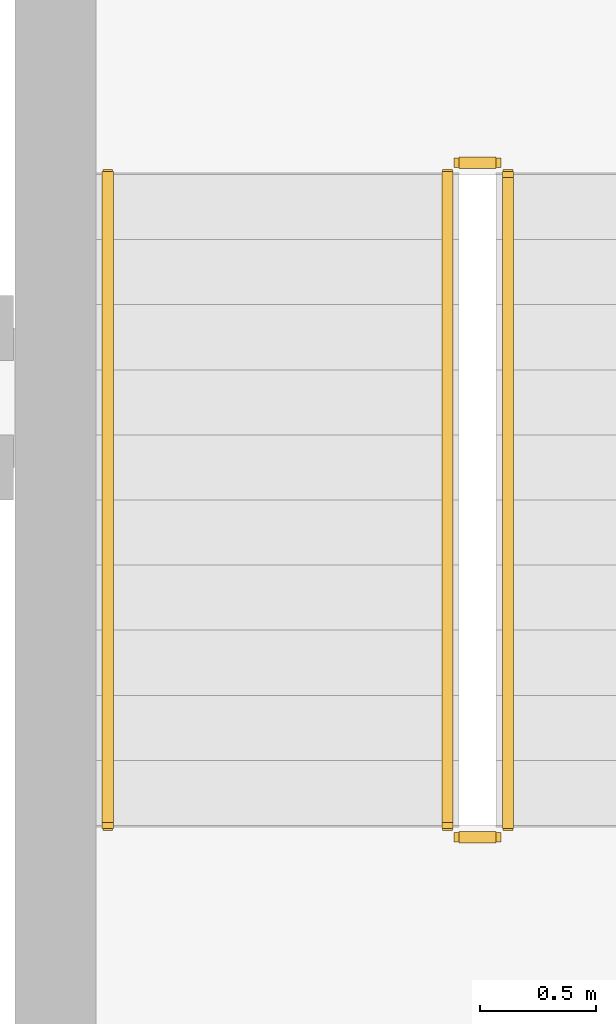
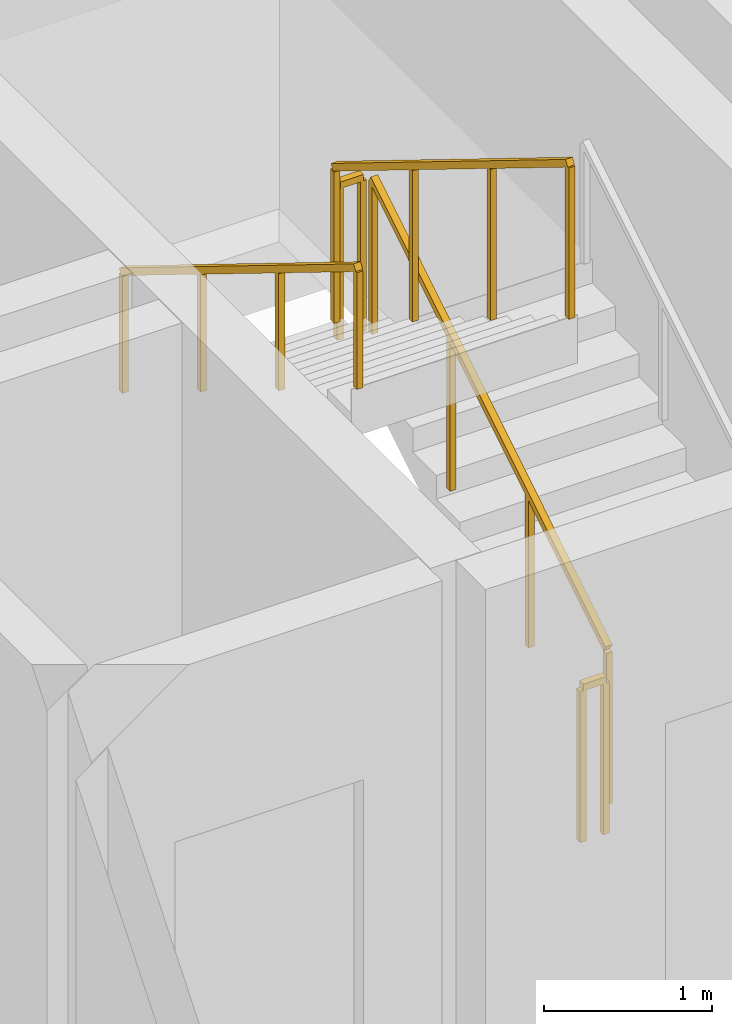
# One storey, part 14 of 15: 5 railings.
"""IFC4 building model written with IfcOpenShell, lengths in metres."""

from ifc_helpers import new_model, si_unit, direction, frame, origin, origin_2d, place, context, subcontext, project, spatial, rectangle, extrude, material, type_object, element, save


model = new_model("IFC4")

# Units and contexts
model_context = context("Model", 3, precision=1e-05, world=origin(), true_north=direction((0.0, 1.0)))
body_context = subcontext(model_context, "Body", "Model", "MODEL_VIEW")
ifc_project = project(units=[si_unit("LENGTHUNIT", "METRE"), si_unit("AREAUNIT", "SQUARE_METRE"), si_unit("VOLUMEUNIT", "CUBIC_METRE"), si_unit("PLANEANGLEUNIT", "RADIAN"), si_unit("MASSUNIT", "GRAM", prefix="KILO")], contexts=[model_context])

# Site, building, storey
site_placement = place(None, origin())
site = spatial("IfcSite", under=ifc_project, at=site_placement, CompositionType="ELEMENT")
building_placement = place(site_placement, origin())
building = spatial("IfcBuilding", under=site, at=building_placement, Name="Kaelvorn Grand Hotel", CompositionType="ELEMENT")
storey_placement = place(building_placement, frame((0.0, 0.0, 150.550048828125)))
storey = spatial("IfcBuildingStorey", under=building, at=storey_placement, Name="L36", CompositionType="ELEMENT", Elevation=150.550048828125)

# Railings
ifc_material = material(Name="Stainless Steel", Category="steel")
railing_type_1 = type_object("IfcRailingType", Name="RL-HANDRAIL-900", PredefinedType="HANDRAIL", material=ifc_material)
railing_1_placement = place(storey_placement, frame((63.3701171875, 44.56005859375, 2.07275390625)))
element("IfcRailing", 1, at=railing_1_placement, inside=storey, type_object=railing_type_1, Name="L36 ST3 stair handrail 2", PredefinedType="HANDRAIL", context=body_context, shape_type="SweptSolid", body=[
    extrude(rectangle(XDim=0.048095703125, YDim=0.048095703125, at=origin_2d()), frame((0.0, 0.0, 0.8759765625), z_axis=(0.0, -0.851089632645, 0.525020415988), x_axis=(1.0, 0.0, 0.0)), (0.0, 0.0, 1.0), 3.2900390625),
    extrude(rectangle(XDim=0.0419921875, YDim=0.0419921875, at=origin_2d()), origin(), (0.0, 0.0, 1.0), 0.851806640625),
    extrude(rectangle(XDim=0.0419921875, YDim=0.0419921875, at=origin_2d()), frame((0.0, -0.933349609375, 0.57568359375)), (0.0, 0.0, 1.0), 0.851806640625),
    extrude(rectangle(XDim=0.0419921875, YDim=0.0419921875, at=origin_2d()), frame((0.0, -1.86669921875, 1.151611328125)), (0.0, 0.0, 1.0), 0.851806640625),
    extrude(rectangle(XDim=0.0419921875, YDim=0.0419921875, at=origin_2d()), frame((0.0, -2.800048828125, 1.727294921875)), (0.0, 0.0, 1.0), 0.851806640625),
])
railing_type_2 = type_object("IfcRailingType", Name="RL-STAIR-GUARD-1150", PredefinedType="BALUSTRADE", material=ifc_material)
railing_2_placement = place(storey_placement, frame((65.090087890625, 41.760009765625, 0.172607421875)))
element("IfcRailing", 2, at=railing_2_placement, inside=storey, type_object=railing_type_2, Name="L36 ST3 stair guard 1", PredefinedType="BALUSTRADE", context=body_context, shape_type="SweptSolid", body=[
    extrude(rectangle(XDim=0.048095703125, YDim=0.048095703125, at=origin_2d()), frame((0.0, 0.0, 1.1259765625), z_axis=(0.0, 0.851089632645, 0.525020415988), x_axis=(-1.0, 0.0, 0.0)), (0.0, 0.0, 1.0), 3.2900390625),
    extrude(rectangle(XDim=0.0419921875, YDim=0.0419921875, at=origin_2d()), origin(), (0.0, 0.0, 1.0), 1.101806640625),
    extrude(rectangle(XDim=0.0419921875, YDim=0.0419921875, at=origin_2d()), frame((0.0, 0.933349609375, 0.57568359375)), (0.0, 0.0, 1.0), 1.101806640625),
    extrude(rectangle(XDim=0.0419921875, YDim=0.0419921875, at=origin_2d()), frame((0.0, 1.86669921875, 1.151611328125)), (0.0, 0.0, 1.0), 1.101806640625),
    extrude(rectangle(XDim=0.0419921875, YDim=0.0419921875, at=origin_2d()), frame((0.0, 2.800048828125, 1.727294921875)), (0.0, 0.0, 1.0), 1.101806640625),
])
railing_3_placement = place(storey_placement, frame((65.0400390625, 44.610107421875, 1.89990234375)))
element("IfcRailing", 3, at=railing_3_placement, inside=storey, type_object=railing_type_2, Name="L36 ST3 stair guard 2", PredefinedType="BALUSTRADE", context=body_context, shape_type="SweptSolid", body=[
    extrude(rectangle(XDim=0.048095703125, YDim=0.048095703125, at=origin_2d()), frame((0.0, 0.0, 1.1259765625), z_axis=(-1.0, 0.0, 0.0), x_axis=(0.0, -1.0, 0.0)), (0.0, 0.0, 1.0), 0.16015625),
    extrude(rectangle(XDim=0.0419921875, YDim=0.0419921875, at=origin_2d()), origin(), (0.0, 0.0, 1.0), 1.101806640625),
    extrude(rectangle(XDim=0.0419921875, YDim=0.0419921875, at=origin_2d()), frame((-0.16015625, 0.0, 0.0)), (0.0, 0.0, 1.0), 1.101806640625),
])
railing_4_placement = place(storey_placement, frame((64.830078125, 44.56005859375, 2.07275390625)))
element("IfcRailing", 4, at=railing_4_placement, inside=storey, type_object=railing_type_2, Name="L36 ST3 stair guard 3", PredefinedType="BALUSTRADE", context=body_context, shape_type="SweptSolid", body=[
    extrude(rectangle(XDim=0.048095703125, YDim=0.048095703125, at=origin_2d()), frame((0.0, 0.0, 1.1259765625), z_axis=(0.0, -0.851089632645, 0.525020415988), x_axis=(1.0, 0.0, 0.0)), (0.0, 0.0, 1.0), 3.2900390625),
    extrude(rectangle(XDim=0.0419921875, YDim=0.0419921875, at=origin_2d()), origin(), (0.0, 0.0, 1.0), 1.101806640625),
    extrude(rectangle(XDim=0.0419921875, YDim=0.0419921875, at=origin_2d()), frame((0.0, -0.933349609375, 0.57568359375)), (0.0, 0.0, 1.0), 1.101806640625),
    extrude(rectangle(XDim=0.0419921875, YDim=0.0419921875, at=origin_2d()), frame((0.0, -1.86669921875, 1.151611328125)), (0.0, 0.0, 1.0), 1.101806640625),
    extrude(rectangle(XDim=0.0419921875, YDim=0.0419921875, at=origin_2d()), frame((0.0, -2.800048828125, 1.727294921875)), (0.0, 0.0, 1.0), 1.101806640625),
])
railing_5_placement = place(storey_placement, frame((65.0400390625, 41.7099609375, 0.0)))
element("IfcRailing", 5, at=railing_5_placement, inside=storey, type_object=railing_type_2, Name="L36 ST3 stair guard 4", PredefinedType="BALUSTRADE", context=body_context, shape_type="SweptSolid", body=[
    extrude(rectangle(XDim=0.048095703125, YDim=0.048095703125, at=origin_2d()), frame((0.0, 0.0, 1.1259765625), z_axis=(-1.0, 0.0, 0.0), x_axis=(0.0, -1.0, 0.0)), (0.0, 0.0, 1.0), 0.16015625),
    extrude(rectangle(XDim=0.0419921875, YDim=0.0419921875, at=origin_2d()), origin(), (0.0, 0.0, 1.0), 1.101806640625),
    extrude(rectangle(XDim=0.0419921875, YDim=0.0419921875, at=origin_2d()), frame((-0.16015625, 0.0, 0.0)), (0.0, 0.0, 1.0), 1.101806640625),
])

save(model, "model.ifc")
